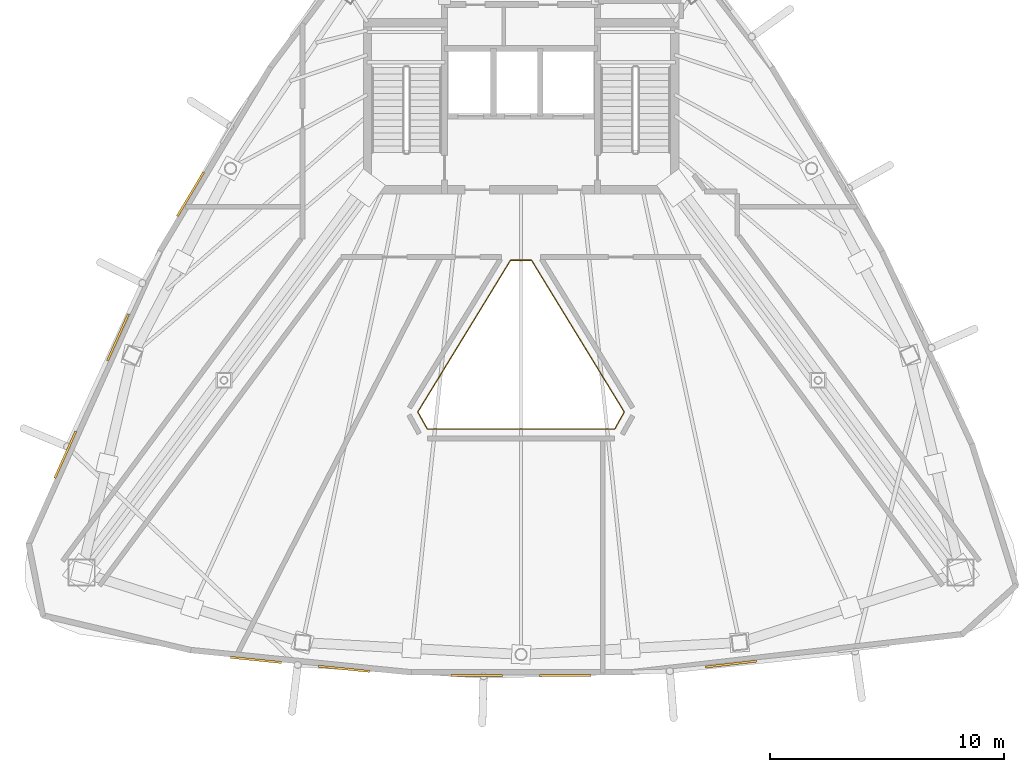
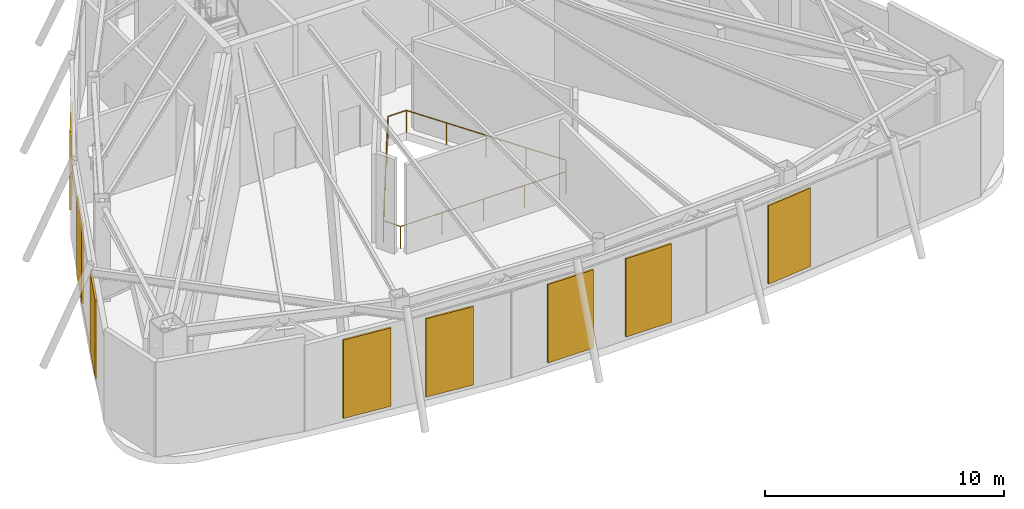
# One storey, part 7 of 9: 8 shading devices, 1 railing.
"""IFC4 building model written with IfcOpenShell, lengths in metres."""

from ifc_helpers import new_model, si_unit, direction, frame, origin, origin_2d, place, context, subcontext, project, spatial, rectangle, circle, extrude, material, layer, layer_set, type_object, element, save


model = new_model("IFC4")

# Units and contexts
model_context = context("Model", 3, precision=1e-05, world=origin(), true_north=direction((0.0, 1.0)))
body_context = subcontext(model_context, "Body", "Model", "MODEL_VIEW")
ifc_project = project(units=[si_unit("LENGTHUNIT", "METRE"), si_unit("AREAUNIT", "SQUARE_METRE"), si_unit("VOLUMEUNIT", "CUBIC_METRE"), si_unit("PLANEANGLEUNIT", "RADIAN"), si_unit("MASSUNIT", "GRAM", prefix="KILO")], contexts=[model_context])

# Site, building, storey
site_placement = place(None, origin())
site = spatial("IfcSite", under=ifc_project, at=site_placement, CompositionType="ELEMENT")
building_placement = place(site_placement, origin())
building = spatial("IfcBuilding", under=site, at=building_placement, Name="Orvanel Arch Residences", CompositionType="ELEMENT")
storey_placement = place(building_placement, frame((0.0, 0.0, 281.0)))
storey = spatial("IfcBuildingStorey", under=building, at=storey_placement, Name="L80", CompositionType="ELEMENT", Elevation=281.0)

# Shading devices
ifc_material_1 = material(Name="Insulated bronze-anodised aluminium spandrel panel", Category="aluminium")
ifc_layer = layer(ifc_material_1, 0.090087890625)
ifc_layer_set = layer_set([ifc_layer], Name="Insulated bronze-anodised aluminium spandrel panel")
shading_device_type = type_object("IfcShadingDeviceType", Name="LVR-PLT-90", PredefinedType="USERDEFINED", material=ifc_layer_set)
for number, where, z_axis, x_axis, name in (
    (1, (18.85888671875, 26.541015625, 0.2001953125), (0.0, 0.0, 1.0), (-0.51503807491, -0.857167300702, 0.0), "L80 Mechanical Intake Louvre Panel F1-4"),
    (2, (15.75390625, 20.4130859375, 0.2001953125), (0.0, 0.0, 1.0), (-0.409923033842, -0.912120116172, 0.0), "L80 Mechanical Intake Louvre Panel F1-5"),
    (3, (13.5, 15.388916015625, 0.2001953125), (0.0, 0.0, 1.0), (-0.409923033842, -0.912120116172, 0.0), "L80 Mechanical Intake Louvre Panel F1-6"),
    (4, (21.656982421875, 6.611083984375, 0.2001953125), (0.0, 0.0, 1.0), (0.994880708829, -0.101056297183, 0.0), "L80 Mechanical Intake Louvre Panel F2-1"),
    (5, (25.43310546875, 6.22998046875, 0.2001953125), (0.0, 0.0, 1.0), (0.994880708829, -0.101056297183, 0.0), "L80 Mechanical Intake Louvre Panel F2-2"),
    (6, (31.112060546875, 5.943115234375, 0.2001953125), (0.0, 0.0, 1.0), (1.0, 0.0, 0.0), "L80 Mechanical Intake Louvre Panel F2-3"),
    (7, (34.887939453125, 5.943115234375, 0.2001953125), (0.0, 0.0, 1.0), (1.0, 0.0, 0.0), "L80 Mechanical Intake Louvre Panel F2-4"),
    (8, (41.985107421875, 6.431884765625, 0.2001953125), (0.0, 0.0, 1.0), (0.9933727656, 0.114937150493, 0.0), "L80 Mechanical Intake Louvre Panel F2-5"),
):
    element("IfcShadingDevice", number, at=place(storey_placement, frame(where, z_axis=z_axis, x_axis=x_axis)), inside=storey, type_object=shading_device_type, Name=name, ObjectType="LOUVRE", PredefinedType="USERDEFINED", context=body_context, shape_type="SweptSolid", body=[
        extrude(rectangle(XDim=2.199951171875, YDim=0.090087890625, at=origin_2d()), origin(), (0.0, 0.0, 1.0), 4.013916015625),
    ])

# Railing
ifc_material_2 = material(Name="Bronze-anodised aluminium AA6063-T6", Category="aluminium")
railing_type = type_object("IfcRailingType", Name="RL-ATR-1150", PredefinedType="BALUSTRADE", material=ifc_material_2)
railing_placement = place(storey_placement, frame((33.447021484375, 23.7119140625, 0.0)))
element("IfcRailing", 9, at=railing_placement, inside=storey, type_object=railing_type, Name="L80 Atrium Void Protective Balustrade", PredefinedType="BALUSTRADE", context=body_context, shape_type="SweptSolid", body=[
    extrude(circle(Radius=0.02392578125, at=origin_2d()), frame((-0.00146484375, 0.0, 1.1259765625), z_axis=(-1.0, 0.0, 0.0), x_axis=(0.0, -1.0, 0.0)), (0.0, 0.0, 1.0), 0.89111328125),
    extrude(circle(Radius=0.02392578125, at=origin_2d()), frame((-0.894775390625, -0.001220703125, 1.1259765625), z_axis=(-0.521612229543, -0.853182677972, 0.0), x_axis=(0.853182677972, -0.521612229543, 0.0)), (0.0, 0.0, 1.0), 7.606201171875),
    extrude(circle(Radius=0.02392578125, at=origin_2d()), frame((-4.8623046875, -6.4931640625, 1.1259765625), z_axis=(0.488629954368, -0.872491127573, 0.0), x_axis=(0.872491127573, 0.488629954368, 0.0)), (0.0, 0.0, 1.0), 0.8359375),
    extrude(circle(Radius=0.02392578125, at=origin_2d()), frame((-4.45166015625, -7.223876953125, 1.1259765625), z_axis=(1.0, 0.0, 0.0), x_axis=(0.0, 1.0, 0.0)), (0.0, 0.0, 1.0), 8.00927734375),
    extrude(circle(Radius=0.02392578125, at=origin_2d()), frame((3.559814453125, -7.22265625, 1.1259765625), z_axis=(0.488629954368, 0.872491127573, 0.0), x_axis=(-0.872491127573, 0.488629954368, 0.0)), (0.0, 0.0, 1.0), 0.8359375),
    extrude(circle(Radius=0.02392578125, at=origin_2d()), frame((3.96826171875, -6.49072265625, 1.1259765625), z_axis=(-0.521612229543, 0.853182677972, 0.0), x_axis=(-0.853182677972, -0.521612229543, 0.0)), (0.0, 0.0, 1.0), 7.606201171875),
    extrude(circle(Radius=0.02099609375, at=origin_2d()), origin(), (0.0, 0.0, 1.0), 1.099853515625),
    extrude(circle(Radius=0.02099609375, at=origin_2d()), frame((-0.89404296875, 0.0, 0.0)), (0.0, 0.0, 1.0), 1.099853515625),
    extrude(circle(Radius=0.02099609375, at=origin_2d()), frame((-1.88623046875, -1.623046875, 0.0)), (0.0, 0.0, 1.0), 1.099853515625),
    extrude(circle(Radius=0.02099609375, at=origin_2d()), frame((-2.87841796875, -3.24609375, 0.0)), (0.0, 0.0, 1.0), 1.099853515625),
    extrude(circle(Radius=0.02099609375, at=origin_2d()), frame((-3.870849609375, -4.868896484375, 0.0)), (0.0, 0.0, 1.0), 1.099853515625),
    extrude(circle(Radius=0.02099609375, at=origin_2d()), frame((-4.863037109375, -6.491943359375, 0.0)), (0.0, 0.0, 1.0), 1.099853515625),
    extrude(circle(Radius=0.02099609375, at=origin_2d()), frame((-4.453125, -7.223876953125, 0.0)), (0.0, 0.0, 1.0), 1.099853515625),
    extrude(circle(Radius=0.02099609375, at=origin_2d()), frame((-2.4501953125, -7.223876953125, 0.0)), (0.0, 0.0, 1.0), 1.099853515625),
    extrude(circle(Radius=0.02099609375, at=origin_2d()), frame((-0.447021484375, -7.223876953125, 0.0)), (0.0, 0.0, 1.0), 1.099853515625),
    extrude(circle(Radius=0.02099609375, at=origin_2d()), frame((1.55615234375, -7.223876953125, 0.0)), (0.0, 0.0, 1.0), 1.099853515625),
    extrude(circle(Radius=0.02099609375, at=origin_2d()), frame((3.55908203125, -7.223876953125, 0.0)), (0.0, 0.0, 1.0), 1.099853515625),
    extrude(circle(Radius=0.02099609375, at=origin_2d()), frame((3.968994140625, -6.491943359375, 0.0)), (0.0, 0.0, 1.0), 1.099853515625),
    extrude(circle(Radius=0.02099609375, at=origin_2d()), frame((2.976806640625, -4.868896484375, 0.0)), (0.0, 0.0, 1.0), 1.099853515625),
    extrude(circle(Radius=0.02099609375, at=origin_2d()), frame((1.984375, -3.24609375, 0.0)), (0.0, 0.0, 1.0), 1.099853515625),
    extrude(circle(Radius=0.02099609375, at=origin_2d()), frame((0.9921875, -1.623046875, 0.0)), (0.0, 0.0, 1.0), 1.099853515625),
])

save(model, "model.ifc")
